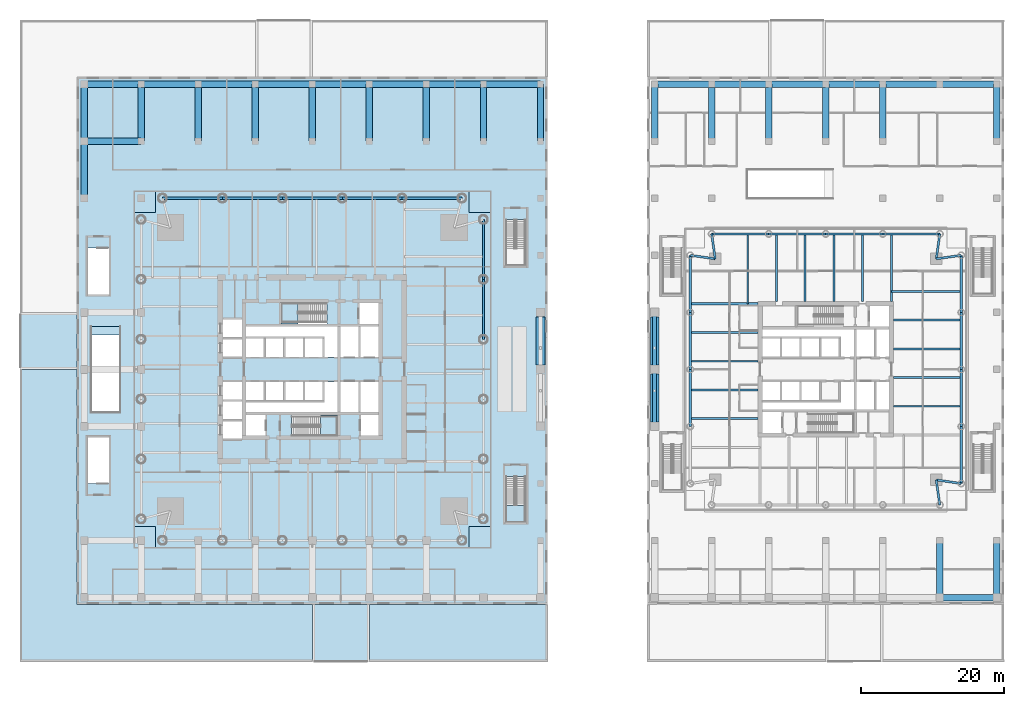
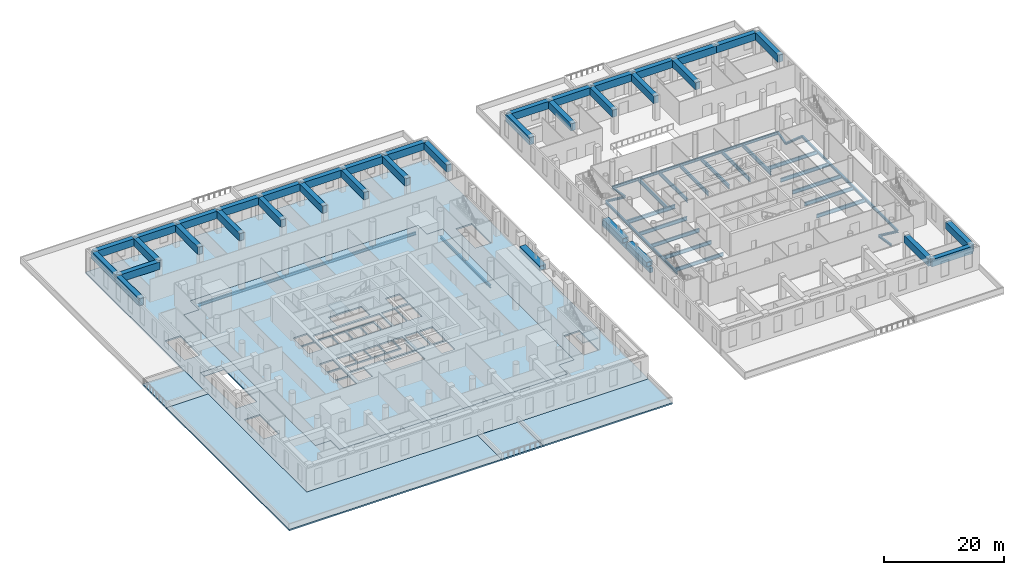
# One storey, part 6 of 26: 79 beams, 9 slabs, 1 plate, 3 elements without a shape of their own.
"""IFC4 building model written with IfcOpenShell, lengths in metres."""

from ifc_helpers import new_model, si_unit, direction, frame, origin, origin_2d, place, context, subcontext, project, spatial, polyline, rectangle, hollow_rectangle, i_section, outline, extrude, material, layer, layer_set, material_profile, profile_set, type_object, element, aggregate, save


model = new_model("IFC4")

# Units and contexts
model_context = context("Model", 3, precision=1e-05, world=origin(), true_north=direction((0.0, 1.0)))
body_context = subcontext(model_context, "Body", "Model", "MODEL_VIEW")
ifc_project = project(units=[si_unit("LENGTHUNIT", "METRE"), si_unit("AREAUNIT", "SQUARE_METRE"), si_unit("VOLUMEUNIT", "CUBIC_METRE"), si_unit("PLANEANGLEUNIT", "RADIAN"), si_unit("MASSUNIT", "GRAM", prefix="KILO")], contexts=[model_context])

# Site, building, storey
site_placement = place(None, origin())
site = spatial("IfcSite", under=ifc_project, at=site_placement, CompositionType="ELEMENT")
building_placement = place(site_placement, origin())
building = spatial("IfcBuilding", under=site, at=building_placement, Name="Ostroluk Exchange", CompositionType="ELEMENT")
storey_placement = place(building_placement, frame((0.0, 0.0, 6.0)))
storey = spatial("IfcBuildingStorey", under=building, at=storey_placement, Name="L01", CompositionType="ELEMENT", Elevation=6.0)

# Beams
ifc_material_1 = material(Name="Steel S355", Category="steel")
ifc_material_profile_1 = material_profile(ifc_material_1, hollow_rectangle(XDim=1.199951171875, YDim=0.949951171875, WallThickness=0.080078125, at=origin_2d()), Name="BOX 1200x950x80")
ifc_profile_set_1 = profile_set([ifc_material_profile_1], Name="Steel S355")
beam_type_1 = type_object("IfcBeamType", Name="Bearing seat girder BOX 1200x950x80", PredefinedType="BEAM", material=ifc_profile_set_1)
for number, where, z_axis, x_axis, name in (
    (1, (77.0, 46.64990234375, 2.635009765625), (0.0, 1.0, 0.0), (-1.0, 0.0, 0.0), "BR1 bearing seat girder west 2"),
    (2, (93.0, 38.64990234375, 2.635009765625), (0.0, 1.0, 0.0), (-1.0, 0.0, 0.0), "BR1 bearing seat girder east 1"),
    (3, (93.0, 46.64990234375, 2.635009765625), (0.0, 1.0, 0.0), (-1.0, 0.0, 0.0), "BR1 bearing seat girder east 2"),
):
    element("IfcBeam", number, at=place(storey_placement, frame(where, z_axis=z_axis, x_axis=x_axis)), inside=storey, type_object=beam_type_1, Name=name, PredefinedType="BEAM", context=body_context, shape_type="SweptSolid", body=[
        extrude(hollow_rectangle(XDim=1.199951171875, YDim=0.949951171875, WallThickness=0.080078125, at=origin_2d()), origin(), (0.0, 0.0, 1.0), 6.7001953125),
    ])
ifc_material_2 = material(Name="Steel S355", Category="steel")
ifc_material_profile_2 = material_profile(ifc_material_2, i_section(OverallWidth=0.300048828125, OverallDepth=0.39990234375, WebThickness=0.013427734375, FlangeThickness=0.02392578125, FilletRadius=0.027099609375, at=origin_2d()), Name="HEB 400")
ifc_profile_set_2 = profile_set([ifc_material_profile_2], Name="Steel S355")
beam_type_2 = type_object("IfcBeamType", Name="Corner edge beam HEB 400", PredefinedType="SPANDREL", material=ifc_profile_set_2)
for number, where, z_axis, x_axis, name in (
    (4, (132.5, 61.5, -0.5), (0.989949493661, 0.141421356237, 0.0), (-0.141421356237, 0.989949493661, 0.0), "T2 east corner edge beam a"),
    (5, (132.5, 61.5, -0.5), (0.141421356237, 0.989949493661, 0.0), (-0.989949493661, 0.141421356237, 0.0), "T2 east corner edge beam b"),
    (6, (101.5, 61.5, -0.5), (-0.141421356237, 0.989949493661, 0.0), (-0.989949493661, -0.141421356237, 0.0), "T2 north corner edge beam a"),
    (7, (101.5, 61.5, -0.5), (-0.989949493661, 0.141421356237, 0.0), (-0.141421356237, -0.989949493661, 0.0), "T2 north corner edge beam b"),
    (8, (132.5, 30.5, -0.5), (0.141421356237, -0.989949493661, 0.0), (0.989949493661, 0.141421356237, 0.0), "T2 south corner edge beam a"),
    (9, (132.5, 30.5, -0.5), (0.989949493661, -0.141421356237, 0.0), (0.141421356237, 0.989949493661, 0.0), "T2 south corner edge beam b"),
):
    element("IfcBeam", number, at=place(storey_placement, frame(where, z_axis=z_axis, x_axis=x_axis)), inside=storey, type_object=beam_type_2, Name=name, PredefinedType="SPANDREL", context=body_context, shape_type="SweptSolid", body=[
        extrude(i_section(OverallWidth=0.300048828125, OverallDepth=0.39990234375, WebThickness=0.013427734375, FlangeThickness=0.02392578125, FilletRadius=0.027099609375, at=origin_2d()), origin(), (0.0, 0.0, 1.0), 3.53564453125),
    ])
ifc_material_3 = material(Name="Steel S355", Category="steel")
ifc_material_profile_3 = material_profile(ifc_material_3, i_section(OverallWidth=0.264892578125, OverallDepth=0.7529296875, WebThickness=0.01318359375, FlangeThickness=0.01708984375, FilletRadius=0.01708984375, at=origin_2d()), Name="IPE 750x147")
ifc_profile_set_3 = profile_set([ifc_material_profile_3], Name="Steel S355")
beam_type_3 = type_object("IfcBeamType", Name="Floor beam IPE 750x147", PredefinedType="BEAM", material=ifc_profile_set_3)
for number, where, z_axis, x_axis, name in (
    (10, (126.5, 40.82861328125, -0.676513671875), (1.0, 0.0, 0.0), (0.0, 1.0, 0.0), "T2 east floor beam 1"),
    (11, (126.5, 44.857177734375, -0.676513671875), (1.0, 0.0, 0.0), (0.0, 1.0, 0.0), "T2 east floor beam 2"),
    (12, (126.5, 48.8857421875, -0.676513671875), (1.0, 0.0, 0.0), (0.0, 1.0, 0.0), "T2 east floor beam 3"),
    (13, (126.5, 52.914306640625, -0.676513671875), (1.0, 0.0, 0.0), (0.0, 1.0, 0.0), "T2 east floor beam 4"),
):
    element("IfcBeam", number, at=place(storey_placement, frame(where, z_axis=z_axis, x_axis=x_axis)), inside=storey, type_object=beam_type_3, Name=name, PredefinedType="BEAM", context=body_context, shape_type="SweptSolid", body=[
        extrude(i_section(OverallWidth=0.264892578125, OverallDepth=0.7529296875, WebThickness=0.01318359375, FlangeThickness=0.01708984375, FilletRadius=0.01708984375, at=origin_2d()), origin(), (0.0, 0.0, 1.0), 9.5),
    ])
beam_1_placement = place(storey_placement, frame((126.199951171875, 56.94287109375, -0.676513671875), z_axis=(1.0, 0.0, 0.0), x_axis=(0.0, 1.0, 0.0)))
element("IfcBeam", 14, at=beam_1_placement, inside=storey, type_object=beam_type_3, Name="T2 east floor beam 5", PredefinedType="BEAM", context=body_context, shape_type="SweptSolid", body=[
    extrude(i_section(OverallWidth=0.264892578125, OverallDepth=0.7529296875, WebThickness=0.01318359375, FlangeThickness=0.01708984375, FilletRadius=0.01708984375, at=origin_2d()), origin(), (0.0, 0.0, 1.0), 9.800048828125),
])
for number, where, z_axis, x_axis, name in (
    (15, (122.17138671875, 55.5, -0.676513671875), (0.0, 1.0, 0.0), (-1.0, 0.0, 0.0), "T2 north floor beam 1"),
    (16, (118.142822265625, 55.5, -0.676513671875), (0.0, 1.0, 0.0), (-1.0, 0.0, 0.0), "T2 north floor beam 2"),
    (17, (114.1142578125, 55.5, -0.676513671875), (0.0, 1.0, 0.0), (-1.0, 0.0, 0.0), "T2 north floor beam 3"),
    (18, (110.085693359375, 55.5, -0.676513671875), (0.0, 1.0, 0.0), (-1.0, 0.0, 0.0), "T2 north floor beam 4"),
):
    element("IfcBeam", number, at=place(storey_placement, frame(where, z_axis=z_axis, x_axis=x_axis)), inside=storey, type_object=beam_type_3, Name=name, PredefinedType="BEAM", context=body_context, shape_type="SweptSolid", body=[
        extrude(i_section(OverallWidth=0.264892578125, OverallDepth=0.7529296875, WebThickness=0.01318359375, FlangeThickness=0.01708984375, FilletRadius=0.01708984375, at=origin_2d()), origin(), (0.0, 0.0, 1.0), 9.5),
    ])
beam_2_placement = place(storey_placement, frame((106.05712890625, 55.199951171875, -0.676513671875), z_axis=(0.0, 1.0, 0.0), x_axis=(-1.0, 0.0, 0.0)))
element("IfcBeam", 19, at=beam_2_placement, inside=storey, type_object=beam_type_3, Name="T2 north floor beam 5", PredefinedType="BEAM", context=body_context, shape_type="SweptSolid", body=[
    extrude(i_section(OverallWidth=0.264892578125, OverallDepth=0.7529296875, WebThickness=0.01318359375, FlangeThickness=0.01708984375, FilletRadius=0.01708984375, at=origin_2d()), origin(), (0.0, 0.0, 1.0), 9.800048828125),
])
for number, where, z_axis, x_axis, name in (
    (20, (107.5, 51.17138671875, -0.676513671875), (-1.0, 0.0, 0.0), (0.0, -1.0, 0.0), "T2 west floor beam 1"),
    (21, (107.5, 47.142822265625, -0.676513671875), (-1.0, 0.0, 0.0), (0.0, -1.0, 0.0), "T2 west floor beam 2"),
    (22, (107.5, 43.1142578125, -0.676513671875), (-1.0, 0.0, 0.0), (0.0, -1.0, 0.0), "T2 west floor beam 3"),
    (23, (107.5, 39.085693359375, -0.676513671875), (-1.0, 0.0, 0.0), (0.0, -1.0, 0.0), "T2 west floor beam 4"),
):
    element("IfcBeam", number, at=place(storey_placement, frame(where, z_axis=z_axis, x_axis=x_axis)), inside=storey, type_object=beam_type_3, Name=name, PredefinedType="BEAM", context=body_context, shape_type="SweptSolid", body=[
        extrude(i_section(OverallWidth=0.264892578125, OverallDepth=0.7529296875, WebThickness=0.01318359375, FlangeThickness=0.01708984375, FilletRadius=0.01708984375, at=origin_2d()), origin(), (0.0, 0.0, 1.0), 9.5),
    ])
ifc_material_4 = material(Name="Steel S355", Category="steel")
ifc_material_profile_4 = material_profile(ifc_material_4, i_section(OverallWidth=0.300048828125, OverallDepth=0.800048828125, WebThickness=0.017578125, FlangeThickness=0.032958984375, FilletRadius=0.030029296875, at=origin_2d()), Name="HEB 800")
ifc_profile_set_4 = profile_set([ifc_material_profile_4], Name="Steel S355")
beam_type_4 = type_object("IfcBeamType", Name="Girder HEB 800", PredefinedType="BEAM", material=ifc_profile_set_4)
for number, where, z_axis, x_axis, name in (
    (24, (126.199951171875, 55.5, -0.699951171875), (0.0, 1.0, 0.0), (-1.0, 0.0, 0.0), "T2 east girder"),
    (25, (107.5, 55.199951171875, -0.699951171875), (-1.0, 0.0, 0.0), (0.0, -1.0, 0.0), "T2 north girder"),
):
    element("IfcBeam", number, at=place(storey_placement, frame(where, z_axis=z_axis, x_axis=x_axis)), inside=storey, type_object=beam_type_4, Name=name, PredefinedType="BEAM", context=body_context, shape_type="SweptSolid", body=[
        extrude(i_section(OverallWidth=0.300048828125, OverallDepth=0.800048828125, WebThickness=0.017578125, FlangeThickness=0.032958984375, FilletRadius=0.030029296875, at=origin_2d()), origin(), (0.0, 0.0, 1.0), 9.5),
    ])
ifc_material_5 = material(Name="Steel S355", Category="steel")
ifc_material_profile_5 = material_profile(ifc_material_5, i_section(OverallWidth=0.300048828125, OverallDepth=0.550048828125, WebThickness=0.014892578125, FlangeThickness=0.029052734375, FilletRadius=0.027099609375, at=origin_2d()), Name="HEB 550")
ifc_profile_set_5 = profile_set([ifc_material_profile_5], Name="Steel S355")
beam_type_5 = type_object("IfcBeamType", Name="Moment-connected edge beam HEB 550", PredefinedType="SPANDREL", material=ifc_profile_set_5)
for number, where, z_axis, x_axis, name in (
    (26, (136.0, 30.0, -0.574951171875), (0.0, 1.0, 0.0), (-1.0, 0.0, 0.0), "T2 east edge beam 1"),
    (27, (136.0, 38.0, -0.574951171875), (0.0, 1.0, 0.0), (-1.0, 0.0, 0.0), "T2 east edge beam 2"),
    (28, (136.0, 46.0, -0.574951171875), (0.0, 1.0, 0.0), (-1.0, 0.0, 0.0), "T2 east edge beam 3"),
    (29, (136.0, 54.0, -0.574951171875), (0.0, 1.0, 0.0), (-1.0, 0.0, 0.0), "T2 east edge beam 4"),
    (30, (133.0, 65.0, -0.574951171875), (-1.0, 0.0, 0.0), (0.0, -1.0, 0.0), "T2 north edge beam 1"),
    (31, (125.0, 65.0, -0.574951171875), (-1.0, 0.0, 0.0), (0.0, -1.0, 0.0), "T2 north edge beam 2"),
    (32, (117.0, 65.0, -0.574951171875), (-1.0, 0.0, 0.0), (0.0, -1.0, 0.0), "T2 north edge beam 3"),
    (33, (109.0, 65.0, -0.574951171875), (-1.0, 0.0, 0.0), (0.0, -1.0, 0.0), "T2 north edge beam 4"),
    (34, (98.0, 62.0, -0.574951171875), (0.0, -1.0, 0.0), (1.0, 0.0, 0.0), "T2 west edge beam 1"),
    (35, (98.0, 54.0, -0.574951171875), (0.0, -1.0, 0.0), (1.0, 0.0, 0.0), "T2 west edge beam 2"),
    (36, (98.0, 46.0, -0.574951171875), (0.0, -1.0, 0.0), (1.0, 0.0, 0.0), "T2 west edge beam 3"),
):
    element("IfcBeam", number, at=place(storey_placement, frame(where, z_axis=z_axis, x_axis=x_axis)), inside=storey, type_object=beam_type_5, Name=name, PredefinedType="SPANDREL", context=body_context, shape_type="SweptSolid", body=[
        extrude(i_section(OverallWidth=0.300048828125, OverallDepth=0.550048828125, WebThickness=0.014892578125, FlangeThickness=0.029052734375, FilletRadius=0.027099609375, at=origin_2d()), origin(), (0.0, 0.0, 1.0), 8.0),
    ])
ifc_material_6 = material(Name="Steel S355", Category="steel")
ifc_material_profile_6 = material_profile(ifc_material_6, i_section(OverallWidth=0.300048828125, OverallDepth=0.60009765625, WebThickness=0.015380859375, FlangeThickness=0.030029296875, FilletRadius=0.027099609375, at=origin_2d()), Name="HEB 600")
ifc_profile_set_6 = profile_set([ifc_material_profile_6], Name="Steel S355")
beam_type_6 = type_object("IfcBeamType", Name="Moment-connected edge beam HEB 600", PredefinedType="SPANDREL", material=ifc_profile_set_6)
beam_3_placement = place(storey_placement, frame((69.0, 50.199951171875, -0.60009765625), z_axis=(0.0, 1.0, 0.0), x_axis=(-1.0, 0.0, 0.0)))
element("IfcBeam", 37, at=beam_3_placement, inside=storey, type_object=beam_type_6, Name="T1 east edge beam 4", PredefinedType="SPANDREL", context=body_context, shape_type="SweptSolid", body=[
    extrude(i_section(OverallWidth=0.300048828125, OverallDepth=0.60009765625, WebThickness=0.015380859375, FlangeThickness=0.030029296875, FilletRadius=0.027099609375, at=origin_2d()), origin(), (0.0, 0.0, 1.0), 8.400146484375),
])
for number, where, z_axis, x_axis, name in (
    (38, (69.0, 58.60009765625, -0.60009765625), (0.0, 1.0, 0.0), (-1.0, 0.0, 0.0), "T1 east edge beam 5"),
    (39, (66.0, 70.0, -0.60009765625), (-1.0, 0.0, 0.0), (0.0, -1.0, 0.0), "T1 north edge beam 1"),
):
    element("IfcBeam", number, at=place(storey_placement, frame(where, z_axis=z_axis, x_axis=x_axis)), inside=storey, type_object=beam_type_6, Name=name, PredefinedType="SPANDREL", context=body_context, shape_type="SweptSolid", body=[
        extrude(i_section(OverallWidth=0.300048828125, OverallDepth=0.60009765625, WebThickness=0.015380859375, FlangeThickness=0.030029296875, FilletRadius=0.027099609375, at=origin_2d()), origin(), (0.0, 0.0, 1.0), 8.39990234375),
    ])
beam_4_placement = place(storey_placement, frame((57.60009765625, 70.0, -0.60009765625), z_axis=(-1.0, 0.0, 0.0), x_axis=(0.0, -1.0, 0.0)))
element("IfcBeam", 40, at=beam_4_placement, inside=storey, type_object=beam_type_6, Name="T1 north edge beam 2", PredefinedType="SPANDREL", context=body_context, shape_type="SweptSolid", body=[
    extrude(i_section(OverallWidth=0.300048828125, OverallDepth=0.60009765625, WebThickness=0.015380859375, FlangeThickness=0.030029296875, FilletRadius=0.027099609375, at=origin_2d()), origin(), (0.0, 0.0, 1.0), 8.400146484375),
])
beam_5_placement = place(storey_placement, frame((49.199951171875, 70.0, -0.60009765625), z_axis=(-1.0, 0.0, 0.0), x_axis=(0.0, -1.0, 0.0)))
element("IfcBeam", 41, at=beam_5_placement, inside=storey, type_object=beam_type_6, Name="T1 north edge beam 3", PredefinedType="SPANDREL", context=body_context, shape_type="SweptSolid", body=[
    extrude(i_section(OverallWidth=0.300048828125, OverallDepth=0.60009765625, WebThickness=0.015380859375, FlangeThickness=0.030029296875, FilletRadius=0.027099609375, at=origin_2d()), origin(), (0.0, 0.0, 1.0), 8.39990234375),
])
beam_6_placement = place(storey_placement, frame((40.800048828125, 70.0, -0.60009765625), z_axis=(-1.0, 0.0, 0.0), x_axis=(0.0, -1.0, 0.0)))
element("IfcBeam", 42, at=beam_6_placement, inside=storey, type_object=beam_type_6, Name="T1 north edge beam 4", PredefinedType="SPANDREL", context=body_context, shape_type="SweptSolid", body=[
    extrude(i_section(OverallWidth=0.300048828125, OverallDepth=0.60009765625, WebThickness=0.015380859375, FlangeThickness=0.030029296875, FilletRadius=0.027099609375, at=origin_2d()), origin(), (0.0, 0.0, 1.0), 8.400146484375),
])
beam_7_placement = place(storey_placement, frame((32.39990234375, 70.0, -0.60009765625), z_axis=(-1.0, 0.0, 0.0), x_axis=(0.0, -1.0, 0.0)))
element("IfcBeam", 43, at=beam_7_placement, inside=storey, type_object=beam_type_6, Name="T1 north edge beam 5", PredefinedType="SPANDREL", context=body_context, shape_type="SweptSolid", body=[
    extrude(i_section(OverallWidth=0.300048828125, OverallDepth=0.60009765625, WebThickness=0.015380859375, FlangeThickness=0.030029296875, FilletRadius=0.027099609375, at=origin_2d()), origin(), (0.0, 0.0, 1.0), 8.39990234375),
])
ifc_material_7 = material(Name="Concrete C50/60", Category="concrete")
ifc_material_profile_7 = material_profile(ifc_material_7, rectangle(XDim=0.60009765625, YDim=0.89990234375, at=origin_2d()), Name="RC 600x900")
ifc_profile_set_7 = profile_set([ifc_material_profile_7], Name="Concrete C50/60")
beam_type_7 = type_object("IfcBeamType", Name="Podium edge beam RC 600x900", PredefinedType="BEAM", material=ifc_profile_set_7)
for number, where, z_axis, x_axis, name in (
    (44, (93.0, 38.0, 1.7099609375), (0.0, 1.0, 0.0), (-1.0, 0.0, 0.0), "BR1 landing beam east 1"),
    (45, (93.0, 46.0, 1.7099609375), (0.0, 1.0, 0.0), (-1.0, 0.0, 0.0), "BR1 landing beam east 2"),
):
    element("IfcBeam", number, at=place(storey_placement, frame(where, z_axis=z_axis, x_axis=x_axis)), inside=storey, type_object=beam_type_7, Name=name, PredefinedType="BEAM", context=body_context, shape_type="SweptSolid", body=[
        extrude(rectangle(XDim=0.60009765625, YDim=0.89990234375, at=origin_2d()), origin(), (0.0, 0.0, 1.0), 8.0),
    ])
ifc_material_8 = material(Name="Concrete C50/60", Category="concrete")
ifc_material_profile_8 = material_profile(ifc_material_8, rectangle(XDim=0.89990234375, YDim=1.5, at=origin_2d()), Name="RC 900x1500")
ifc_profile_set_8 = profile_set([ifc_material_profile_8], Name="Concrete C50/60")
beam_type_8 = type_object("IfcBeamType", Name="Podium edge beam RC 900x1500", PredefinedType="BEAM", material=ifc_profile_set_8)
for number, where, z_axis, x_axis, name in (
    (46, (21.0, 86.0, 3.949951171875), (0.0, -1.0, 0.0), (1.0, 0.0, 0.0), "Terrace beam L02 west N 21"),
    (47, (29.0, 86.0, 3.949951171875), (0.0, -1.0, 0.0), (1.0, 0.0, 0.0), "Terrace beam L02 west N 29"),
    (48, (37.0, 86.0, 3.949951171875), (0.0, -1.0, 0.0), (1.0, 0.0, 0.0), "Terrace beam L02 west N 37"),
    (49, (45.0, 86.0, 3.949951171875), (0.0, -1.0, 0.0), (1.0, 0.0, 0.0), "Terrace beam L02 west N 45"),
    (50, (53.0, 86.0, 3.949951171875), (0.0, -1.0, 0.0), (1.0, 0.0, 0.0), "Terrace beam L02 west N 53"),
    (51, (61.0, 86.0, 3.949951171875), (0.0, -1.0, 0.0), (1.0, 0.0, 0.0), "Terrace beam L02 west N 61"),
    (52, (69.0, 86.0, 3.949951171875), (0.0, -1.0, 0.0), (1.0, 0.0, 0.0), "Terrace beam L02 west N 69"),
    (53, (77.0, 86.0, 3.949951171875), (0.0, -1.0, 0.0), (1.0, 0.0, 0.0), "Terrace beam L02 west N 77"),
    (54, (13.0, 78.0, 3.949951171875), (1.0, 0.0, 0.0), (0.0, 1.0, 0.0), "Terrace beam L02 west W 78"),
    (55, (133.0, 14.0, 3.949951171875), (0.0, 1.0, 0.0), (-1.0, 0.0, 0.0), "Terrace beam L02 east S 133"),
    (56, (141.0, 14.0, 3.949951171875), (0.0, 1.0, 0.0), (-1.0, 0.0, 0.0), "Terrace beam L02 east S 141"),
    (57, (93.0, 86.0, 3.949951171875), (0.0, -1.0, 0.0), (1.0, 0.0, 0.0), "Terrace beam L02 east N 93"),
    (58, (101.0, 86.0, 3.949951171875), (0.0, -1.0, 0.0), (1.0, 0.0, 0.0), "Terrace beam L02 east N 101"),
    (59, (109.0, 86.0, 3.949951171875), (0.0, -1.0, 0.0), (1.0, 0.0, 0.0), "Terrace beam L02 east N 109"),
    (60, (117.0, 86.0, 3.949951171875), (0.0, -1.0, 0.0), (1.0, 0.0, 0.0), "Terrace beam L02 east N 117"),
    (61, (125.0, 86.0, 3.949951171875), (0.0, -1.0, 0.0), (1.0, 0.0, 0.0), "Terrace beam L02 east N 125"),
    (62, (141.0, 86.0, 3.949951171875), (0.0, -1.0, 0.0), (1.0, 0.0, 0.0), "Terrace beam L02 east N 141"),
    (63, (13.0, 70.0, 3.949951171875), (0.0, 1.0, 0.0), (-1.0, 0.0, 0.0), "Terrace bay beam L02 X13-70"),
    (64, (13.0, 78.0, 3.949951171875), (0.0, 1.0, 0.0), (-1.0, 0.0, 0.0), "Terrace bay beam L02 X13-78"),
    (65, (133.0, 14.0, 3.949951171875), (1.0, 0.0, 0.0), (0.0, 1.0, 0.0), "Terrace bay beam L02 Y14-133"),
    (66, (13.0, 86.0, 3.949951171875), (1.0, 0.0, 0.0), (0.0, 1.0, 0.0), "Terrace bay beam L02 Y86-13"),
    (67, (21.0, 86.0, 3.949951171875), (1.0, 0.0, 0.0), (0.0, 1.0, 0.0), "Terrace bay beam L02 Y86-21"),
    (68, (29.0, 86.0, 3.949951171875), (1.0, 0.0, 0.0), (0.0, 1.0, 0.0), "Terrace bay beam L02 Y86-29"),
    (69, (37.0, 86.0, 3.949951171875), (1.0, 0.0, 0.0), (0.0, 1.0, 0.0), "Terrace bay beam L02 Y86-37"),
    (70, (45.0, 86.0, 3.949951171875), (1.0, 0.0, 0.0), (0.0, 1.0, 0.0), "Terrace bay beam L02 Y86-45"),
    (71, (53.0, 86.0, 3.949951171875), (1.0, 0.0, 0.0), (0.0, 1.0, 0.0), "Terrace bay beam L02 Y86-53"),
    (72, (61.0, 86.0, 3.949951171875), (1.0, 0.0, 0.0), (0.0, 1.0, 0.0), "Terrace bay beam L02 Y86-61"),
    (73, (69.0, 86.0, 3.949951171875), (1.0, 0.0, 0.0), (0.0, 1.0, 0.0), "Terrace bay beam L02 Y86-69"),
    (74, (93.0, 86.0, 3.949951171875), (1.0, 0.0, 0.0), (0.0, 1.0, 0.0), "Terrace bay beam L02 Y86-93"),
    (75, (101.0, 86.0, 3.949951171875), (1.0, 0.0, 0.0), (0.0, 1.0, 0.0), "Terrace bay beam L02 Y86-101"),
    (76, (109.0, 86.0, 3.949951171875), (1.0, 0.0, 0.0), (0.0, 1.0, 0.0), "Terrace bay beam L02 Y86-109"),
    (77, (117.0, 86.0, 3.949951171875), (1.0, 0.0, 0.0), (0.0, 1.0, 0.0), "Terrace bay beam L02 Y86-117"),
    (78, (125.0, 86.0, 3.949951171875), (1.0, 0.0, 0.0), (0.0, 1.0, 0.0), "Terrace bay beam L02 Y86-125"),
    (79, (133.0, 86.0, 3.949951171875), (1.0, 0.0, 0.0), (0.0, 1.0, 0.0), "Terrace bay beam L02 Y86-133"),
):
    element("IfcBeam", number, at=place(storey_placement, frame(where, z_axis=z_axis, x_axis=x_axis)), inside=storey, type_object=beam_type_8, Name=name, PredefinedType="BEAM", context=body_context, shape_type="SweptSolid", body=[
        extrude(rectangle(XDim=0.89990234375, YDim=1.5, at=origin_2d()), origin(), (0.0, 0.0, 1.0), 8.0),
    ])

# Plate
ifc_material_9 = material(Name="Steel chequer plate", Category="steel")
ifc_layer_1 = layer(ifc_material_9, 0.10009765625)
ifc_layer_set_1 = layer_set([ifc_layer_1], Name="Escalator landing plate")
plate_type = type_object("IfcPlateType", Name="Escalator landing plate", PredefinedType="USERDEFINED", material=ifc_layer_set_1)
plate_placement = place(storey_placement, frame((16.0, 51.39990234375, -0.10009765625), z_axis=(0.0, 0.0, 1.0), x_axis=(1.0, 0.0, 0.0)))
element("IfcPlate", 80, at=plate_placement, inside=storey, type_object=plate_type, Name="Escalator ES2 landing plate", ObjectType="ESCALATOR LANDING PLATE", PredefinedType="USERDEFINED", context=body_context, shape_type="SweptSolid", body=[
    extrude(rectangle(XDim=4.0, YDim=1.199951171875, at=origin_2d()), origin(), (0.0, 0.0, 1.0), 0.10009765625),
])

# Slabs
ifc_material_10 = material(Name="Concrete C35/45", Category="concrete")
ifc_layer_2 = layer(ifc_material_10, 0.300048828125)
ifc_layer_set_2 = layer_set([ifc_layer_2], Name="Extensive green roof slab 300")
slab_type_1 = type_object("IfcSlabType", Name="Extensive green roof slab 300", PredefinedType="ROOF", material=ifc_layer_set_2)
slab_1_placement = place(storey_placement, frame((0.0, 0.0, -0.300048828125)))
element("IfcSlab", 81, at=slab_1_placement, inside=storey, type_object=slab_type_1, Name="Green roof slab L01 west", PredefinedType="ROOF", context=body_context, shape_type="SweptSolid", body=[
    extrude(outline(polyline([(4.0, 46.0), (12.0, 46.0), (12.0, 13.0), (45.0, 13.0), (45.0, 5.0), (4.0, 5.0), (4.0, 46.0)])), origin(), (0.0, 0.0, 1.0), 0.300048828125),
])
slab_2_placement = place(storey_placement, frame((0.0, 0.0, -0.300048828125)))
element("IfcSlab", 82, at=slab_2_placement, inside=storey, type_object=slab_type_1, Name="Green roof slab L01 west", PredefinedType="ROOF", context=body_context, shape_type="SweptSolid", body=[
    extrude(outline(polyline([(78.0, 13.0), (78.0, 5.0), (53.0, 5.0), (53.0, 13.0), (78.0, 13.0)])), origin(), (0.0, 0.0, 1.0), 0.300048828125),
])
ifc_material_11 = material(Name="Concrete C35/45", Category="concrete")
ifc_layer_3 = layer(ifc_material_11, 0.300048828125)
ifc_layer_set_3 = layer_set([ifc_layer_3], Name="Podium flat slab 300")
slab_type_2 = type_object("IfcSlabType", Name="Podium flat slab 300", PredefinedType="FLOOR", material=ifc_layer_set_3)
slab_3_placement = place(storey_placement, frame((0.0, 0.0, -0.300048828125)))
element("IfcSlab", 83, at=slab_3_placement, inside=storey, type_object=slab_type_2, Name="Podium slab L01 west", PredefinedType="FLOOR", context=body_context, shape_type="SweptSolid", body=[
    extrude(outline(polyline([(78.0, 13.0), (12.0, 13.0), (12.0, 87.0), (78.0, 87.0), (78.0, 13.0)]), holes=[polyline([(67.0, 21.0), (67.0, 24.0), (70.0, 24.0), (70.0, 68.0), (67.0, 68.0), (67.0, 71.0), (23.0, 71.0), (23.0, 68.0), (20.0, 68.0), (20.0, 24.0), (23.0, 24.0), (23.0, 21.0), (67.0, 21.0)]), polyline([(13.5, 30.010009765625), (16.5, 30.010009765625), (16.5, 36.5), (13.5, 36.5), (13.5, 30.010009765625)]), polyline([(13.5, 62.989990234375), (13.5, 56.5), (16.5, 56.5), (16.5, 62.989990234375), (13.5, 62.989990234375)]), polyline([(75.0, 30.989990234375), (72.0, 30.989990234375), (72.0, 24.5), (75.0, 24.5), (75.0, 30.989990234375)]), polyline([(75.0, 60.5), (75.0, 66.989990234375), (72.0, 66.989990234375), (72.0, 60.5), (75.0, 60.5)]), polyline([(14.0, 40.0), (18.0, 40.0), (18.0, 52.0), (14.0, 52.0), (14.0, 40.0)])]), origin(), (0.0, 0.0, 1.0), 0.300048828125),
])
ifc_material_12 = material(Name="Concrete C35/45", Category="concrete")
ifc_layer_4 = layer(ifc_material_12, 0.300048828125)
ifc_layer_set_4 = layer_set([ifc_layer_4], Name="Podium terrace slab 300")
slab_type_3 = type_object("IfcSlabType", Name="Podium terrace slab 300", PredefinedType="ROOF", material=ifc_layer_set_4)
slab_4_placement = place(storey_placement, frame((0.0, 0.0, -0.300048828125)))
element("IfcSlab", 84, at=slab_4_placement, inside=storey, type_object=slab_type_3, Name="Terrace slab L01 west", PredefinedType="ROOF", context=body_context, shape_type="SweptSolid", body=[
    extrude(outline(polyline([(4.0, 54.0), (12.0, 54.0), (12.0, 46.0), (4.0, 46.0), (4.0, 54.0)])), origin(), (0.0, 0.0, 1.0), 0.300048828125),
])
slab_5_placement = place(storey_placement, frame((0.0, 0.0, -0.300048828125)))
element("IfcSlab", 85, at=slab_5_placement, inside=storey, type_object=slab_type_3, Name="Terrace slab L01 west", PredefinedType="ROOF", context=body_context, shape_type="SweptSolid", body=[
    extrude(outline(polyline([(53.0, 13.0), (53.0, 5.0), (45.0, 5.0), (45.0, 13.0), (53.0, 13.0)])), origin(), (0.0, 0.0, 1.0), 0.300048828125),
])

# Stair, slab
ifc_material_13 = material(Name="Concrete C30/37", Category="concrete")
stair_type = type_object("IfcStairType", Name="Exit stair half turn 5000", PredefinedType="HALF_TURN_STAIR", material=ifc_material_13)
stair_1_placement = place(storey_placement, origin())
stair_1 = element("IfcStair", 86, at=stair_1_placement, inside=storey, type_object=stair_type, Name="Stair T1-S1 L01", PredefinedType="HALF_TURN_STAIR")
ifc_material_14 = material(Name="Concrete C30/37", Category="concrete")
ifc_layer_5 = layer(ifc_material_14, 0.199951171875)
ifc_layer_set_5 = layer_set([ifc_layer_5], Name="Stair landing 200")
slab_type_4 = type_object("IfcSlabType", Name="Stair landing 200", PredefinedType="LANDING", material=ifc_layer_set_5)
slab_6_placement = place(storey_placement, frame((0.0, 0.0, 2.300048828125)))
slab_6 = element("IfcSlab", 87, at=slab_6_placement, type_object=slab_type_4, Name="T1-S1 landing 1", PredefinedType="LANDING", context=body_context, shape_type="SweptSolid", body=[
    extrude(outline(polyline([(46.159912109375, 36.699951171875), (46.159912109375, 39.60009765625), (48.530029296875, 39.60009765625), (48.530029296875, 36.699951171875), (46.159912109375, 36.699951171875)])), origin(), (0.0, 0.0, 1.0), 0.199951171875),
])
aggregate(stair_1, [slab_6])

stair_2_placement = place(storey_placement, origin())
stair_2 = element("IfcStair", 88, at=stair_2_placement, inside=storey, type_object=stair_type, Name="Stair T1-S2 L01", PredefinedType="HALF_TURN_STAIR")
slab_7_placement = place(storey_placement, frame((0.0, 0.0, 2.300048828125)))
slab_7 = element("IfcSlab", 89, at=slab_7_placement, type_object=slab_type_4, Name="T1-S2 landing 1", PredefinedType="LANDING", context=body_context, shape_type="SweptSolid", body=[
    extrude(outline(polyline([(42.969970703125, 52.39990234375), (42.969970703125, 55.300048828125), (40.60009765625, 55.300048828125), (40.60009765625, 52.39990234375), (42.969970703125, 52.39990234375)])), origin(), (0.0, 0.0, 1.0), 0.199951171875),
])
aggregate(stair_2, [slab_7])

stair_3_placement = place(storey_placement, origin())
stair_3 = element("IfcStair", 90, at=stair_3_placement, inside=storey, type_object=stair_type, Name="Stair PS3 L01", PredefinedType="HALF_TURN_STAIR")
slab_8_placement = place(storey_placement, frame((0.0, 0.0, 2.300048828125)))
slab_8 = element("IfcSlab", 91, at=slab_8_placement, type_object=slab_type_4, Name="PS3 landing 1", PredefinedType="LANDING", context=body_context, shape_type="SweptSolid", body=[
    extrude(outline(polyline([(72.0, 26.93994140625), (75.0, 26.93994140625), (75.0, 24.5), (72.0, 24.5), (72.0, 26.93994140625)])), origin(), (0.0, 0.0, 1.0), 0.199951171875),
])
aggregate(stair_3, [slab_8])

# Slab
ifc_material_15 = material(Name="Concrete C35/45", Category="concrete")
ifc_layer_6 = layer(ifc_material_15, 0.300048828125)
ifc_layer_set_6 = layer_set([ifc_layer_6], Name="Tower floor slab 300")
slab_type_5 = type_object("IfcSlabType", Name="Tower floor slab 300", PredefinedType="FLOOR", material=ifc_layer_set_6)
slab_9_placement = place(storey_placement, frame((0.0, 0.0, -0.300048828125)))
element("IfcSlab", 92, at=slab_9_placement, inside=storey, type_object=slab_type_5, Name="Office tower floor slab L01", PredefinedType="FLOOR", context=body_context, shape_type="SweptSolid", body=[
    extrude(outline(polyline([(23.0, 21.0), (67.0, 21.0), (67.0, 24.0), (70.0, 24.0), (70.0, 68.0), (67.0, 68.0), (67.0, 71.0), (23.0, 71.0), (23.0, 68.0), (20.0, 68.0), (20.0, 24.0), (23.0, 24.0), (23.0, 21.0)]), holes=[polyline([(35.699951171875, 36.699951171875), (38.39990234375, 36.699951171875), (38.39990234375, 39.60009765625), (35.699951171875, 39.60009765625), (35.699951171875, 36.699951171875)]), polyline([(42.110107421875, 36.699951171875), (48.530029296875, 36.699951171875), (48.530029296875, 39.60009765625), (42.110107421875, 39.60009765625), (42.110107421875, 36.699951171875)]), polyline([(51.800048828125, 36.699951171875), (54.300048828125, 36.699951171875), (54.300048828125, 39.60009765625), (51.800048828125, 39.60009765625), (51.800048828125, 36.699951171875)]), polyline([(40.60009765625, 52.39990234375), (47.02001953125, 52.39990234375), (47.02001953125, 55.300048828125), (40.60009765625, 55.300048828125), (40.60009765625, 52.39990234375)]), polyline([(51.60009765625, 52.39990234375), (54.300048828125, 52.39990234375), (54.300048828125, 55.300048828125), (51.60009765625, 55.300048828125), (51.60009765625, 52.39990234375)]), polyline([(35.699951171875, 47.75), (38.199951171875, 47.75), (38.199951171875, 50.35009765625), (35.699951171875, 50.35009765625), (35.699951171875, 47.75)]), polyline([(38.449951171875, 47.75), (40.949951171875, 47.75), (40.949951171875, 50.35009765625), (38.449951171875, 50.35009765625), (38.449951171875, 47.75)]), polyline([(41.199951171875, 47.75), (43.699951171875, 47.75), (43.699951171875, 50.35009765625), (41.199951171875, 50.35009765625), (41.199951171875, 47.75)]), polyline([(43.949951171875, 47.75), (46.449951171875, 47.75), (46.449951171875, 50.35009765625), (43.949951171875, 50.35009765625), (43.949951171875, 47.75)]), polyline([(35.699951171875, 41.64990234375), (38.199951171875, 41.64990234375), (38.199951171875, 44.25), (35.699951171875, 44.25), (35.699951171875, 41.64990234375)]), polyline([(38.449951171875, 41.64990234375), (40.949951171875, 41.64990234375), (40.949951171875, 44.25), (38.449951171875, 44.25), (38.449951171875, 41.64990234375)]), polyline([(41.199951171875, 41.64990234375), (43.699951171875, 41.64990234375), (43.699951171875, 44.25), (41.199951171875, 44.25), (41.199951171875, 41.64990234375)]), polyline([(43.949951171875, 41.64990234375), (46.449951171875, 41.64990234375), (46.449951171875, 44.25), (43.949951171875, 44.25), (43.949951171875, 41.64990234375)]), polyline([(48.929931640625, 47.75), (51.489990234375, 47.75), (51.489990234375, 52.0), (48.929931640625, 52.0), (48.929931640625, 47.75)]), polyline([(51.739990234375, 47.75), (54.300048828125, 47.75), (54.300048828125, 52.0), (51.739990234375, 52.0), (51.739990234375, 47.75)]), polyline([(48.929931640625, 40.0), (51.489990234375, 40.0), (51.489990234375, 44.25), (48.929931640625, 44.25), (48.929931640625, 40.0)]), polyline([(51.739990234375, 40.0), (54.300048828125, 40.0), (54.300048828125, 44.25), (51.739990234375, 44.25), (51.739990234375, 40.0)]), polyline([(48.530029296875, 52.0), (48.530029296875, 47.75), (46.699951171875, 47.75), (46.699951171875, 50.60009765625), (35.699951171875, 50.60009765625), (35.699951171875, 52.0), (48.530029296875, 52.0)]), polyline([(35.699951171875, 40.0), (35.699951171875, 41.39990234375), (46.699951171875, 41.39990234375), (46.699951171875, 44.25), (48.530029296875, 44.25), (48.530029296875, 40.0), (35.699951171875, 40.0)]), polyline([(32.5, 36.25), (35.10009765625, 36.25), (35.10009765625, 38.75), (32.5, 38.75), (32.5, 36.25)]), polyline([(32.5, 39.0), (35.10009765625, 39.0), (35.10009765625, 41.5), (32.5, 41.5), (32.5, 39.0)]), polyline([(32.5, 41.75), (35.10009765625, 41.75), (35.10009765625, 44.25), (32.5, 44.25), (32.5, 41.75)]), polyline([(32.5, 47.75), (35.10009765625, 47.75), (35.10009765625, 50.25), (32.5, 50.25), (32.5, 47.75)]), polyline([(32.5, 50.5), (35.10009765625, 50.5), (35.10009765625, 53.0), (32.5, 53.0), (32.5, 50.5)])]), origin(), (0.0, 0.0, 1.0), 0.300048828125),
])

save(model, "model.ifc")
